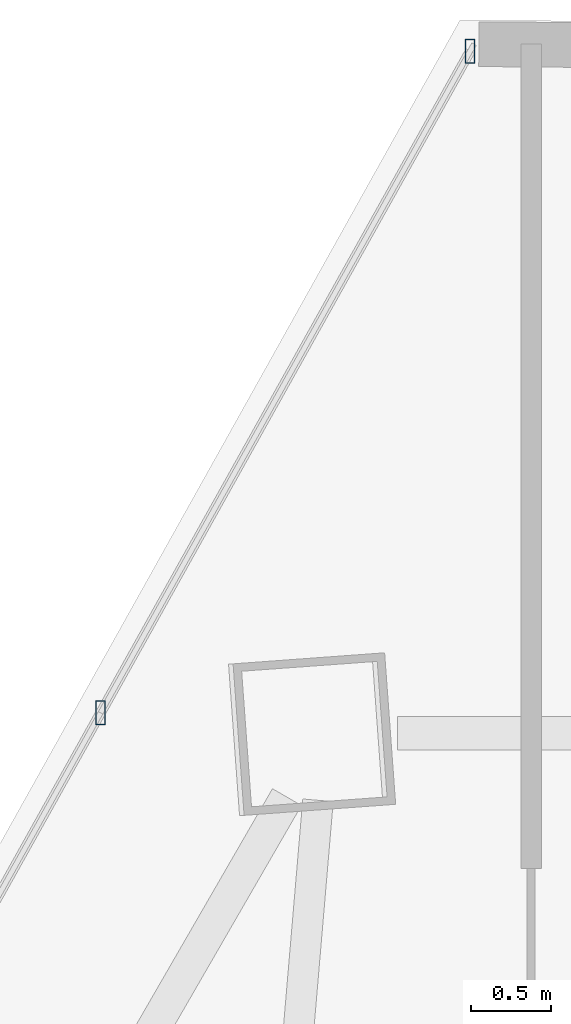
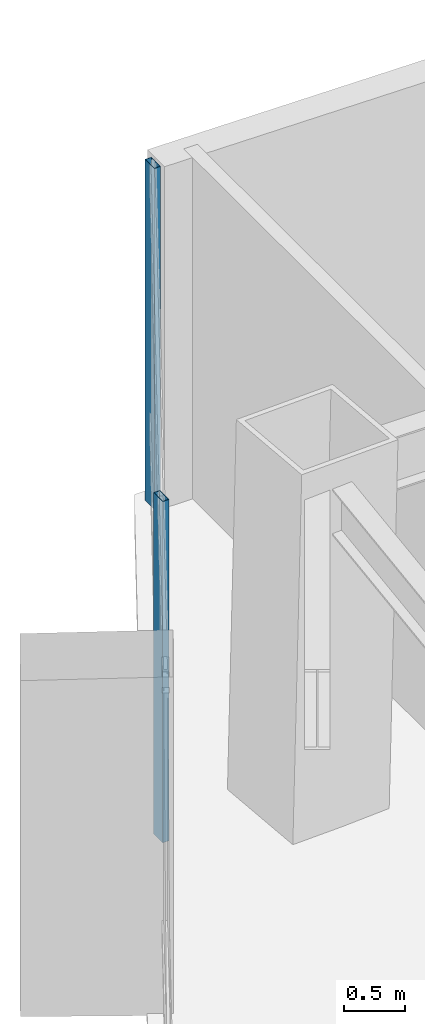
# One storey, part 28 of 38: 2 members, 1 element without a shape of its own.
"""IFC4 building model written with IfcOpenShell, lengths in metres."""

from ifc_helpers import new_model, si_unit, direction, frame, origin, origin_2d, place, context, subcontext, project, spatial, hollow_rectangle, extrude, source, transform, mapped, material, material_profile, profile_set, type_object, type_shapes, element, aggregate, save


model = new_model("IFC4")

# Units and contexts
model_context = context("Model", 3, precision=1e-05, world=origin(), true_north=direction((0.0, 1.0)))
body_context = subcontext(model_context, "Body", "Model", "MODEL_VIEW")
ifc_project = project(units=[si_unit("LENGTHUNIT", "METRE"), si_unit("AREAUNIT", "SQUARE_METRE"), si_unit("VOLUMEUNIT", "CUBIC_METRE"), si_unit("PLANEANGLEUNIT", "RADIAN"), si_unit("MASSUNIT", "GRAM", prefix="KILO")], contexts=[model_context])

# Site, building, storey
site_placement = place(None, origin())
site = spatial("IfcSite", under=ifc_project, at=site_placement, CompositionType="ELEMENT")
building_placement = place(site_placement, origin())
building = spatial("IfcBuilding", under=site, at=building_placement, Name="Caelisora Broadcast Tower", CompositionType="ELEMENT")
storey_placement = place(building_placement, frame((0.0, 0.0, 158.5)))
storey = spatial("IfcBuildingStorey", under=building, at=storey_placement, Name="L41", CompositionType="ELEMENT", Elevation=158.5)

# Curtain wall, members
ifc_material_1 = material(Name="Unitised Aluminium and Low-E Glass Curtain Wall", Category="glass")
curtain_wall_type = type_object("IfcCurtainWallType", Name="CW-Z3", PredefinedType="NOTDEFINED", material=ifc_material_1)
curtain_wall_placement = place(storey_placement, origin())
curtain_wall = element("IfcCurtainWall", 1, at=curtain_wall_placement, inside=storey, type_object=curtain_wall_type, Name="L41 curtain wall CW-Z3", PredefinedType="NOTDEFINED")
ifc_material_2 = material(Name="Aluminium 6063-T6 Anodised Terracotta Bronze", Category="aluminium")
ifc_material_profile = material_profile(ifc_material_2, hollow_rectangle(XDim=0.06005859375, YDim=0.14990234375, WallThickness=0.00341796875, at=origin_2d()), Name="Aluminium 6063-T6 Anodised Terracotta Bronze")
ifc_profile_set = profile_set([ifc_material_profile], Name="Aluminium 6063-T6 Anodised Terracotta Bronze")
member_type = type_object("IfcMemberType", Name="CWM-03", PredefinedType="MULLION", material=ifc_profile_set)
shared_shape = source(origin(), body_context, "Body", "SweptSolid", [
    extrude(hollow_rectangle(XDim=0.06005859375, YDim=0.14990234375, WallThickness=0.00341796875, at=origin_2d()), origin(), (0.0, 0.0, 1.0), 3.39990234375),
])
type_shapes(member_type, [shared_shape])
member_1_placement = place(storey_placement, frame((30.507568359375, 46.63720703125, 0.0), z_axis=(0.0, 0.0, 1.0), x_axis=(1.0, 0.0, 0.0)))
member_1 = element("IfcMember", 2, at=member_1_placement, type_object=member_type, Name="L41-CW-B11 mullion #2", PredefinedType="MULLION", context=body_context, shape_type="MappedRepresentation", body=[
    mapped(shared_shape, transform((0.0, 0.0, 0.0), scale=1.0)),
])
member_2_placement = place(storey_placement, frame((32.818603515625, 50.775390625, 0.0), z_axis=(0.0, 0.0, 1.0), x_axis=(1.0, 0.0, 0.0)))
member_2 = element("IfcMember", 3, at=member_2_placement, type_object=member_type, Name="L41-CW-B11 mullion #3", PredefinedType="MULLION", context=body_context, shape_type="MappedRepresentation", body=[
    mapped(shared_shape, transform((0.0, 0.0, 0.0), scale=1.0)),
])
aggregate(curtain_wall, [member_1, member_2])

save(model, "model.ifc")
